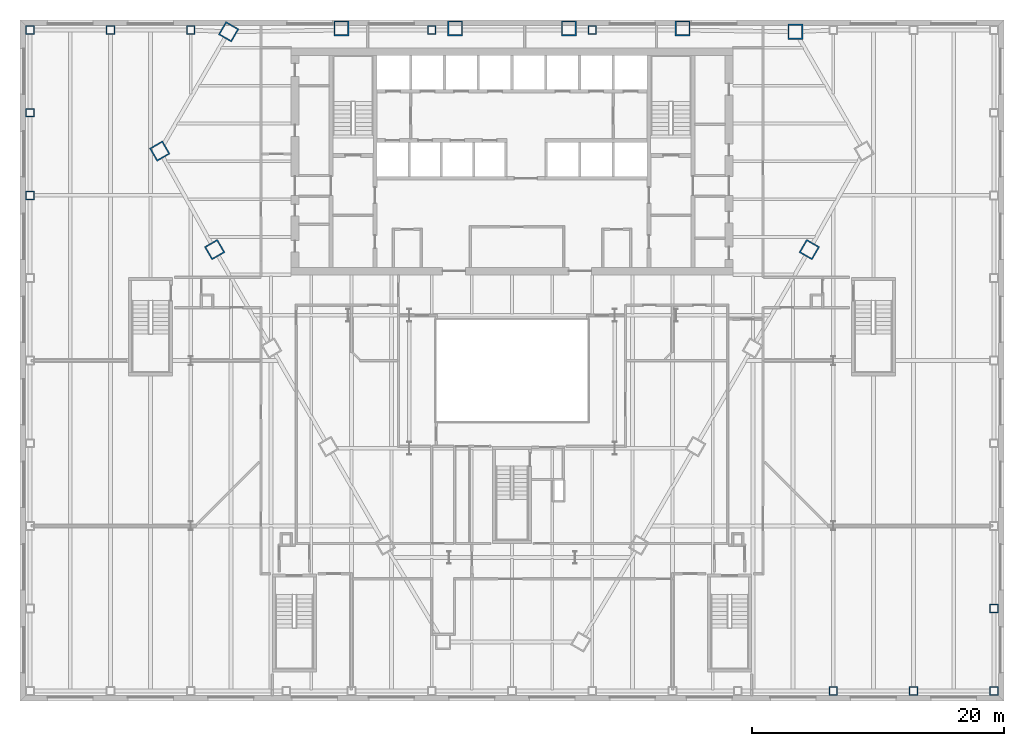
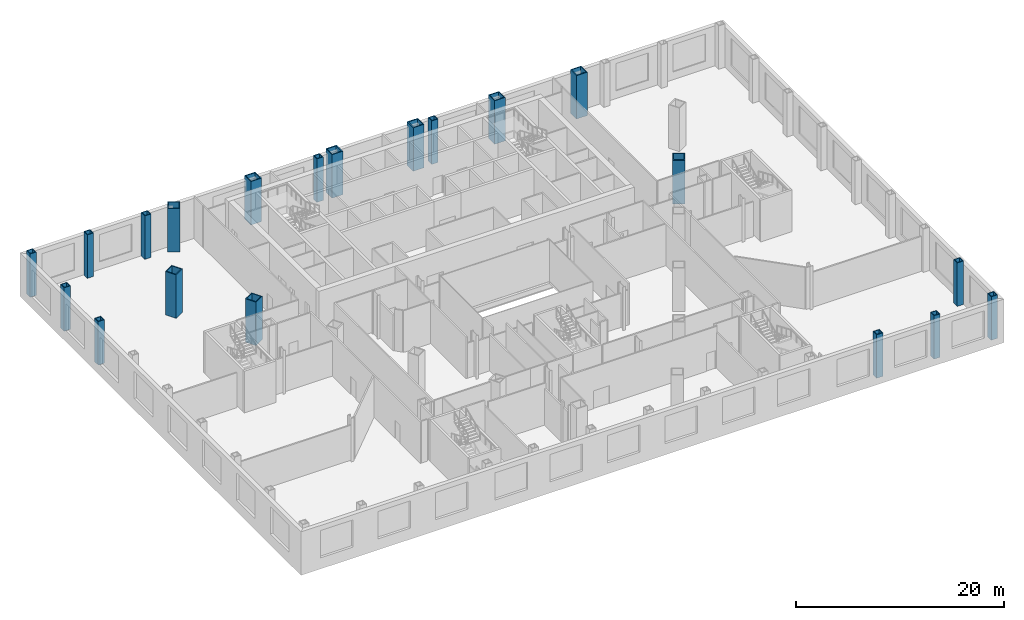
# One storey, part 2 of 21: 20 columns.
"""IFC4 building model written with IfcOpenShell, lengths in metres."""

from ifc_helpers import new_model, si_unit, direction, frame, origin, origin_2d, place, context, subcontext, project, spatial, hollow_rectangle, extrude, material, material_profile, profile_set, type_object, element, save


model = new_model("IFC4")

# Units and contexts
model_context = context("Model", 3, precision=1e-05, world=origin(), true_north=direction((0.0, 1.0)))
body_context = subcontext(model_context, "Body", "Model", "MODEL_VIEW")
ifc_project = project(units=[si_unit("LENGTHUNIT", "METRE"), si_unit("AREAUNIT", "SQUARE_METRE"), si_unit("VOLUMEUNIT", "CUBIC_METRE"), si_unit("PLANEANGLEUNIT", "RADIAN"), si_unit("MASSUNIT", "GRAM", prefix="KILO")], contexts=[model_context])

# Site, building, storey
site_placement = place(None, origin())
site = spatial("IfcSite", under=ifc_project, at=site_placement, CompositionType="ELEMENT")
building_placement = place(site_placement, origin())
building = spatial("IfcBuilding", under=site, at=building_placement, Name="Njiva Tower", CompositionType="ELEMENT")
storey_placement = place(building_placement, frame((0.0, 0.0, 8.4)))
storey = spatial("IfcBuildingStorey", under=building, at=storey_placement, Name="L01", CompositionType="ELEMENT", Elevation=8.4)

# Columns
ifc_material = material(Name="Steel S355 J2", Category="steel")
ifc_material_profile_1 = material_profile(ifc_material, hollow_rectangle(XDim=1.2, YDim=1.2, WallThickness=0.1, at=origin_2d()), Name="BOX 1200x1200x100")
ifc_profile_set_1 = profile_set([ifc_material_profile_1], Name="Steel S355 J2")
column_type_1 = type_object("IfcColumnType", Name="C1 Mega-column BOX 1200x1200x100", PredefinedType="COLUMN", material=ifc_profile_set_1)
for number, where, z_axis, x_axis, name in (
    (1, (22.461, 19.267, 0.0), (0.0, 0.0, 1.0), (-1.0, 0.0, 0.0), "Mega-column L01-C01"),
    (2, (13.523, 19.54, 0.0), (0.0, 0.0, 1.0), (-1.0, 0.0, 0.0), "Mega-column L01-C02"),
    (3, (4.508, 19.54, 0.0), (0.0, 0.0, 1.0), (-1.0, 0.0, 0.0), "Mega-column L01-C03"),
    (4, (-4.508, 19.54, 0.0), (0.0, 0.0, 1.0), (-1.0, 0.0, 0.0), "Mega-column L01-C04"),
    (5, (-13.523, 19.54, 0.0), (0.0, 0.0, 1.0), (-1.0, 0.0, 0.0), "Mega-column L01-C05"),
    (6, (-22.461, 19.267, 0.0), (0.0, 0.0, 1.0), (-0.5, -0.866025403784, 0.0), "Mega-column L01-C06"),
    (7, (-27.923, 9.808, 0.0), (0.0, 0.0, 1.0), (0.5, -0.866025403784, 0.0), "Mega-column L01-C07"),
    (8, (-23.569, 2.0, 0.0), (0.0, 0.0, 1.0), (0.5, -0.866025403784, 0.0), "Mega-column L01-C08"),
    (9, (23.569, 2.0, 0.0), (0.0, 0.0, 1.0), (0.5, 0.866025403784, 0.0), "Mega-column L01-C17"),
):
    element("IfcColumn", number, at=place(storey_placement, frame(where, z_axis=z_axis, x_axis=x_axis)), inside=storey, type_object=column_type_1, Name=name, PredefinedType="COLUMN", context=body_context, shape_type="SweptSolid", body=[
        extrude(hollow_rectangle(XDim=1.2, YDim=1.2, WallThickness=0.1, at=origin_2d()), origin(), (0.0, 0.0, 1.0), 5.1),
    ])
ifc_material_profile_2 = material_profile(ifc_material, hollow_rectangle(XDim=0.7, YDim=0.7, WallThickness=0.08, at=origin_2d()), Name="BOX 700x700x80")
ifc_profile_set_2 = profile_set([ifc_material_profile_2], Name="Steel S355 J2")
column_type_2 = type_object("IfcColumnType", Name="C3 Podium perimeter column BOX 700x700x80", PredefinedType="COLUMN", material=ifc_profile_set_2)
for number, where, z_axis, x_axis, name in (
    (10, (38.2, -33.0, 0.0), (0.0, 0.0, 1.0), (0.0, 1.0, 0.0), "Podium perimeter column L01-C27"),
    (11, (38.2, -26.45, 0.0), (0.0, 0.0, 1.0), (0.0, 1.0, 0.0), "Podium perimeter column L01-C28"),
    (12, (6.367, 19.4, 0.0), (0.0, 0.0, 1.0), (-1.0, 0.0, 0.0), "Podium perimeter column L01-C38"),
    (13, (-6.367, 19.4, 0.0), (0.0, 0.0, 1.0), (-1.0, 0.0, 0.0), "Podium perimeter column L01-C39"),
    (14, (-25.467, 19.4, 0.0), (0.0, 0.0, 1.0), (-1.0, 0.0, 0.0), "Podium perimeter column L01-C40"),
    (15, (-31.833, 19.4, 0.0), (0.0, 0.0, 1.0), (-1.0, 0.0, 0.0), "Podium perimeter column L01-C41"),
    (16, (-38.2, 19.4, 0.0), (0.0, 0.0, 1.0), (0.0, -1.0, 0.0), "Podium perimeter column L01-C42"),
    (17, (-38.2, 12.85, 0.0), (0.0, 0.0, 1.0), (0.0, -1.0, 0.0), "Podium perimeter column L01-C43"),
    (18, (-38.2, 6.3, 0.0), (0.0, 0.0, 1.0), (0.0, -1.0, 0.0), "Podium perimeter column L01-C44"),
    (19, (25.467, -33.0, 0.0), (0.0, 0.0, 1.0), (1.0, 0.0, 0.0), "Podium perimeter column L01-C60"),
    (20, (31.833, -33.0, 0.0), (0.0, 0.0, 1.0), (1.0, 0.0, 0.0), "Podium perimeter column L01-C61"),
):
    element("IfcColumn", number, at=place(storey_placement, frame(where, z_axis=z_axis, x_axis=x_axis)), inside=storey, type_object=column_type_2, Name=name, PredefinedType="COLUMN", context=body_context, shape_type="SweptSolid", body=[
        extrude(hollow_rectangle(XDim=0.7, YDim=0.7, WallThickness=0.08, at=origin_2d()), origin(), (0.0, 0.0, 1.0), 5.1),
    ])

save(model, "model.ifc")
